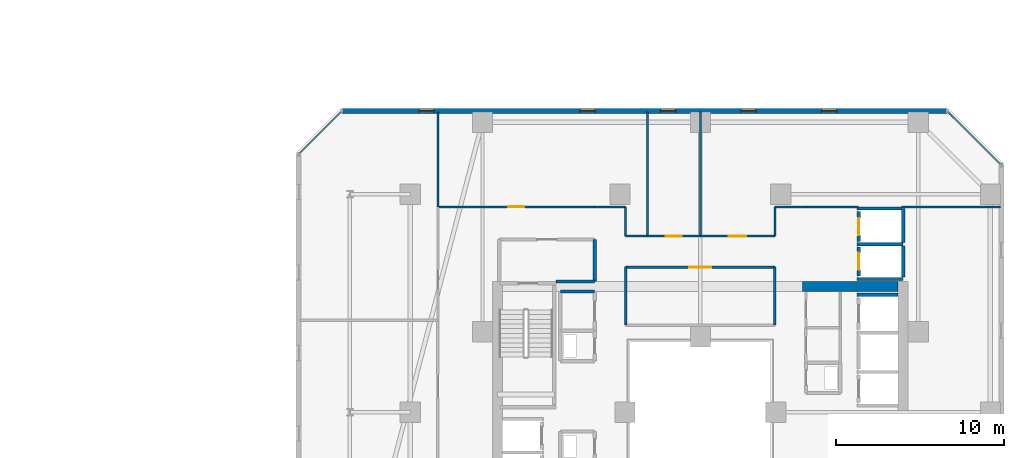
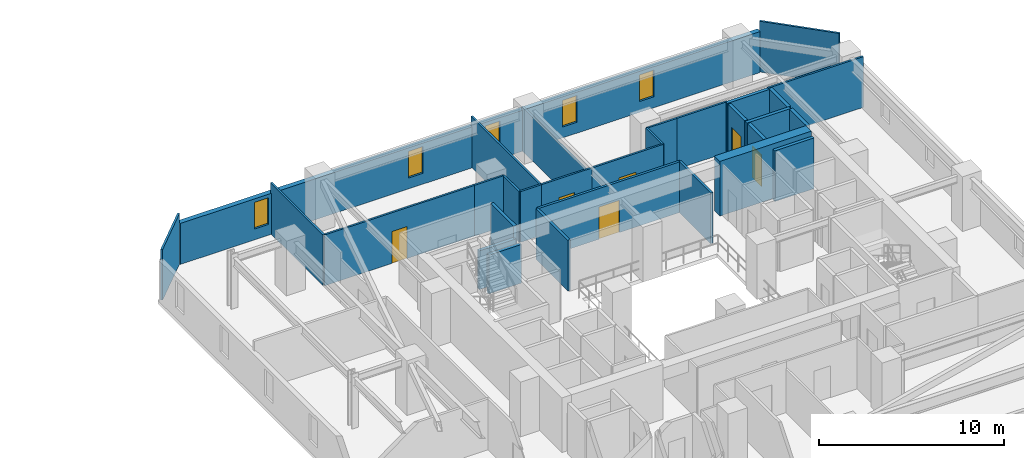
# One storey, part 26 of 33: 31 walls, 6 doors, 5 windows, 11 openings.
"""IFC4 building model written with IfcOpenShell, lengths in metres."""

from ifc_helpers import new_model, si_unit, direction, frame, frame_2d, origin, place, context, subcontext, project, spatial, rectangle, extrude, material, layer, layer_set, type_object, element, fill, save


model = new_model("IFC4")

# Units and contexts
model_context = context("Model", 3, precision=1e-05, world=origin(), true_north=direction((0.0, 1.0)))
body_context = subcontext(model_context, "Body", "Model", "MODEL_VIEW")
ifc_project = project(units=[si_unit("LENGTHUNIT", "METRE"), si_unit("AREAUNIT", "SQUARE_METRE"), si_unit("VOLUMEUNIT", "CUBIC_METRE"), si_unit("PLANEANGLEUNIT", "RADIAN"), si_unit("MASSUNIT", "GRAM", prefix="KILO")], contexts=[model_context])

# Site, building, storey
site_placement = place(None, origin())
site = spatial("IfcSite", under=ifc_project, at=site_placement, CompositionType="ELEMENT")
building_placement = place(site_placement, origin())
building = spatial("IfcBuilding", under=site, at=building_placement, Name="Thornwick Lancets Civic Towers", CompositionType="ELEMENT")
storey_placement = place(building_placement, frame((0.0, 0.0, 108.89990234375)))
storey = spatial("IfcBuildingStorey", under=building, at=storey_placement, Name="L28", CompositionType="ELEMENT", Elevation=108.89990234375)

# Wall, opening, door
ifc_material_1 = material(Name="Concrete blockwork C40/50", Category="masonry")
ifc_layer_1 = layer(ifc_material_1, 0.199951171875, Name="Concrete blockwork C40/50")
ifc_layer_set_1 = layer_set([ifc_layer_1], Name="Concrete blockwork C40/50")
wall_type_1 = type_object("IfcWallType", Name="WALL_COMP_200", PredefinedType="STANDARD", material=ifc_layer_set_1)
wall_1_placement = place(storey_placement, frame((97.949951171875, 36.8701171875, 0.0), z_axis=(0.0, 0.0, 1.0), x_axis=(0.0, -1.0, 0.0)))
wall_1 = element("IfcWall", 1, at=wall_1_placement, inside=storey, type_object=wall_type_1, Name="L28 Hoistway Front Wall PL-BL2", PredefinedType="STANDARD", context=body_context, shape_type="SweptSolid", body=[
    extrude(rectangle(XDim=1.740234375, YDim=0.199951171875, at=frame_2d((0.8701171875, 0.0))), origin(), (0.0, 0.0, 1.0), 3.340087890625),
])
opening_1_placement = place(wall_1_placement, frame((0.360107421875, 0.0, 0.0)))
opening_1 = element("IfcOpeningElement", 2, at=opening_1_placement, cuts=wall_1, Name="Opening LD-PL-BL2", PredefinedType="OPENING", context=body_context, shape_type="SweptSolid", body=[
    extrude(rectangle(XDim=1.02001953125, YDim=2.06005859375, at=frame_2d((0.510009765625, 1.030029296875))), frame((0.0, 0.10986328125, 0.0), z_axis=(0.0, -1.0, 0.0), x_axis=(1.0, 0.0, 0.0)), (0.0, 0.0, 1.0), 0.219970703125),
])
ifc_material_2 = material(Name="Brushed bronze stainless steel", Category="steel")
door_type_1 = type_object("IfcDoorType", Name="DOOR_LIFT_SLIDE", OperationType="SLIDING_TO_LEFT", PredefinedType="DOOR", material=ifc_material_2)
door_1_placement = place(opening_1_placement, origin())
door_1 = element("IfcDoor", 3, at=door_1_placement, inside=storey, type_object=door_type_1, Name="L28 Sliding Lift Landing Door LD-PL-BL2", OperationType="SLIDING_TO_LEFT", OverallHeight=2.06005859375, OverallWidth=1.02001953125, PredefinedType="DOOR", context=body_context, shape_type="SweptSolid", body=[
    extrude(rectangle(XDim=1.02001953125, YDim=2.06005859375, at=frame_2d((0.510009765625, 1.030029296875))), frame((0.0, 0.02490234375, 0.0), z_axis=(0.0, -1.0, 0.0), x_axis=(1.0, 0.0, 0.0)), (0.0, 0.0, 1.0), 0.050048828125),
])
fill(opening_1, door_1)

wall_2_placement = place(storey_placement, frame((97.949951171875, 38.969970703125, 0.0), z_axis=(0.0, 0.0, 1.0), x_axis=(0.0, -1.0, 0.0)))
wall_2 = element("IfcWall", 4, at=wall_2_placement, inside=storey, type_object=wall_type_1, Name="L28 Hoistway Front Wall PL-BL3", PredefinedType="STANDARD", context=body_context, shape_type="SweptSolid", body=[
    extrude(rectangle(XDim=1.7900390625, YDim=0.199951171875, at=frame_2d((0.89501953125, 0.0))), origin(), (0.0, 0.0, 1.0), 3.340087890625),
])
opening_2_placement = place(wall_2_placement, frame((0.385009765625, 0.0, 0.0)))
opening_2 = element("IfcOpeningElement", 5, at=opening_2_placement, cuts=wall_2, Name="Opening LD-PL-BL3", PredefinedType="OPENING", context=body_context, shape_type="SweptSolid", body=[
    extrude(rectangle(XDim=1.02001953125, YDim=2.06005859375, at=frame_2d((0.510009765625, 1.030029296875))), frame((0.0, 0.10986328125, 0.0), z_axis=(0.0, -1.0, 0.0), x_axis=(1.0, 0.0, 0.0)), (0.0, 0.0, 1.0), 0.219970703125),
])
door_2_placement = place(opening_2_placement, origin())
door_2 = element("IfcDoor", 6, at=door_2_placement, inside=storey, type_object=door_type_1, Name="L28 Sliding Lift Landing Door LD-PL-BL3", OperationType="SLIDING_TO_LEFT", OverallHeight=2.06005859375, OverallWidth=1.02001953125, PredefinedType="DOOR", context=body_context, shape_type="SweptSolid", body=[
    extrude(rectangle(XDim=1.02001953125, YDim=2.06005859375, at=frame_2d((0.510009765625, 1.030029296875))), frame((0.0, 0.02490234375, 0.0), z_axis=(0.0, -1.0, 0.0), x_axis=(1.0, 0.0, 0.0)), (0.0, 0.0, 1.0), 0.050048828125),
])
fill(opening_2, door_2)

# Walls
wall_3_placement = place(storey_placement, frame((97.85205078125, 34.0, 0.0), z_axis=(0.0, 0.0, 1.0), x_axis=(1.0, 0.0, 0.0)))
element("IfcWall", 7, at=wall_3_placement, inside=storey, type_object=wall_type_1, Name="L28 Hoistway Shaft Wall PL-BL1 N", PredefinedType="STANDARD", context=body_context, shape_type="SweptSolid", body=[
    extrude(rectangle(XDim=2.43603515625, YDim=0.199951171875, at=frame_2d((1.218017578125, 0.0))), origin(), (0.0, 0.0, 1.0), 3.340087890625),
])
for number, where, z_axis, x_axis, name in (
    (8, (97.85205078125, 37.02490234375, 0.0), (0.0, 0.0, 1.0), (1.0, 0.0, 0.0), "L28 Hoistway Shaft Wall PL-BL2 N"),
    (9, (97.85205078125, 34.949951171875, 0.0), (0.0, 0.0, 1.0), (1.0, 0.0, 0.0), "L28 Hoistway Shaft Wall PL-BL2 S"),
):
    element("IfcWall", number, at=place(storey_placement, frame(where, z_axis=z_axis, x_axis=x_axis)), inside=storey, type_object=wall_type_1, Name=name, PredefinedType="STANDARD", context=body_context, shape_type="SweptSolid", body=[
        extrude(rectangle(XDim=2.745849609375, YDim=0.199951171875, at=frame_2d((1.373046875, 0.0))), origin(), (0.0, 0.0, 1.0), 3.340087890625),
    ])
wall_4_placement = place(storey_placement, frame((100.60009765625, 35.06201171875, 0.0), z_axis=(0.0, 0.0, 1.0), x_axis=(0.0, 1.0, 0.0)))
element("IfcWall", 10, at=wall_4_placement, inside=storey, type_object=wall_type_1, Name="L28 Hoistway Shaft Wall PL-BL2 E", PredefinedType="STANDARD", context=body_context, shape_type="SweptSolid", body=[
    extrude(rectangle(XDim=1.85595703125, YDim=0.199951171875, at=frame_2d((0.927978515625, 0.0))), origin(), (0.0, 0.0, 1.0), 3.340087890625),
])
wall_5_placement = place(storey_placement, frame((100.60009765625, 37.132080078125, 0.0), z_axis=(0.0, 0.0, 1.0), x_axis=(0.0, 1.0, 0.0)))
element("IfcWall", 11, at=wall_5_placement, inside=storey, type_object=wall_type_1, Name="L28 Hoistway Shaft Wall PL-BL2 E", PredefinedType="STANDARD", context=body_context, shape_type="SweptSolid", body=[
    extrude(rectangle(XDim=2.015869140625, YDim=0.199951171875, at=frame_2d((1.0078125, 0.0))), origin(), (0.0, 0.0, 1.0), 3.340087890625),
])
wall_6_placement = place(storey_placement, frame((97.85205078125, 39.14990234375, 0.0), z_axis=(0.0, 0.0, 1.0), x_axis=(1.0, 0.0, 0.0)))
element("IfcWall", 12, at=wall_6_placement, inside=storey, type_object=wall_type_1, Name="L28 Hoistway Shaft Wall PL-BL3 N", PredefinedType="STANDARD", context=body_context, shape_type="SweptSolid", body=[
    extrude(rectangle(XDim=2.635986328125, YDim=0.199951171875, at=frame_2d((1.31787109375, 0.0))), origin(), (0.0, 0.0, 1.0), 3.340087890625),
])
wall_7_placement = place(storey_placement, frame((79.89990234375, 34.800048828125, 0.0), z_axis=(0.0, 0.0, 1.0), x_axis=(1.0, 0.0, 0.0)))
element("IfcWall", 13, at=wall_7_placement, inside=storey, type_object=wall_type_1, Name="L28 Partition L28-B-FFLOB2 E1", PredefinedType="STANDARD", context=body_context, shape_type="SweptSolid", body=[
    extrude(rectangle(XDim=2.300048828125, YDim=0.199951171875, at=frame_2d((1.14990234375, 0.0))), origin(), (0.0, 0.0, 1.0), 2.545166015625),
])
wall_8_placement = place(storey_placement, frame((82.199951171875, 34.800048828125, 0.0), z_axis=(0.0, 0.0, 1.0), x_axis=(0.0, 1.0, 0.0)))
element("IfcWall", 14, at=wall_8_placement, inside=storey, type_object=wall_type_1, Name="L28 Partition L28-B-FFLOB2 E2", PredefinedType="STANDARD", context=body_context, shape_type="SweptSolid", body=[
    extrude(rectangle(XDim=2.5, YDim=0.199951171875, at=frame_2d((1.25, 0.0))), origin(), (0.0, 0.0, 1.0), 3.340087890625),
])
wall_9_placement = place(storey_placement, frame((80.14990234375, 34.199951171875, 0.0), z_axis=(0.0, 0.0, 1.0), x_axis=(1.0, 0.0, 0.0)))
element("IfcWall", 15, at=wall_9_placement, inside=storey, type_object=wall_type_1, Name="L28 Partition L28-B-STR E2", PredefinedType="STANDARD", context=body_context, shape_type="SweptSolid", body=[
    extrude(rectangle(XDim=2.050048828125, YDim=0.199951171875, at=frame_2d((1.02490234375, 0.0))), origin(), (0.0, 0.0, 1.0), 2.545166015625),
])
ifc_material_3 = material(Name="Concrete C60/75", Category="concrete")
ifc_layer_2 = layer(ifc_material_3, 0.60009765625, Name="Concrete C60/75")
ifc_layer_set_2 = layer_set([ifc_layer_2], Name="Concrete C60/75")
wall_type_2 = type_object("IfcWallType", Name="WALL_CORE_600", PredefinedType="SHEAR", material=ifc_layer_set_2)
wall_10_placement = place(storey_placement, frame((94.60009765625, 34.5, 0.0), z_axis=(0.0, 0.0, 1.0), x_axis=(1.0, 0.0, 0.0)))
element("IfcWall", 16, at=wall_10_placement, inside=storey, type_object=wall_type_2, Name="L28 Split Core B1 Shear Wall N", PredefinedType="SHEAR", context=body_context, shape_type="SweptSolid", body=[
    extrude(rectangle(XDim=5.699951171875, YDim=0.60009765625, at=frame_2d((2.85009765625, 0.0))), origin(), (0.0, 0.0, 1.0), 3.60009765625),
])

# Wall, openings, windows
ifc_material_4 = material(Name="Insulated russet terracotta rainscreen on concrete C40/50", Category="masonry")
ifc_layer_3 = layer(ifc_material_4, 0.300048828125, Name="Insulated russet terracotta rainscreen on concrete C40/50")
ifc_layer_set_3 = layer_set([ifc_layer_3], Name="Insulated russet terracotta rainscreen on concrete C40/50")
wall_type_3 = type_object("IfcWallType", Name="WALL_EXT_RUSSET_300", PredefinedType="STANDARD", material=ifc_layer_set_3)
wall_11_placement = place(storey_placement, frame((103.228759765625, 44.962646484375, 0.0), z_axis=(0.0, 0.0, 1.0), x_axis=(-0.999999998537, 5.4088042e-05, 0.0)))
wall_11 = element("IfcWall", 17, at=wall_11_placement, inside=storey, type_object=wall_type_3, Name="L28 Tower B Terracotta Facade Wall E4", PredefinedType="STANDARD", context=body_context, shape_type="SweptSolid", body=[
    extrude(rectangle(XDim=36.110107421875, YDim=0.300048828125, at=frame_2d((18.05517578125, 0.0))), origin(), (0.0, 0.0, 1.0), 2.7001953125),
])
opening_3_placement = place(wall_11_placement, frame((6.60009765625, 0.0, 0.719970703125)))
opening_3 = element("IfcOpeningElement", 18, at=opening_3_placement, cuts=wall_11, Name="Opening WL-01", PredefinedType="OPENING", context=body_context, shape_type="SweptSolid", body=[
    extrude(rectangle(XDim=0.89990234375, YDim=1.75, at=frame_2d((0.449951171875, 0.875))), frame((0.0, 0.16015625, 0.0), z_axis=(0.0, -1.0, 0.0), x_axis=(1.0, 0.0, 0.0)), (0.0, 0.0, 1.0), 0.320068359375),
])
opening_4_placement = place(wall_11_placement, frame((11.39990234375, 0.0, 0.719970703125)))
opening_4 = element("IfcOpeningElement", 19, at=opening_4_placement, cuts=wall_11, Name="Opening WL-01", PredefinedType="OPENING", context=body_context, shape_type="SweptSolid", body=[
    extrude(rectangle(XDim=0.89990234375, YDim=1.75, at=frame_2d((0.449951171875, 0.875))), frame((0.0, 0.16015625, 0.0), z_axis=(0.0, -1.0, 0.0), x_axis=(1.0, 0.0, 0.0)), (0.0, 0.0, 1.0), 0.320068359375),
])
opening_5_placement = place(wall_11_placement, frame((16.199951171875, 0.0, 0.719970703125)))
opening_5 = element("IfcOpeningElement", 20, at=opening_5_placement, cuts=wall_11, Name="Opening WL-01", PredefinedType="OPENING", context=body_context, shape_type="SweptSolid", body=[
    extrude(rectangle(XDim=0.89990234375, YDim=1.75, at=frame_2d((0.449951171875, 0.875))), frame((0.0, 0.16015625, 0.0), z_axis=(0.0, -1.0, 0.0), x_axis=(1.0, 0.0, 0.0)), (0.0, 0.0, 1.0), 0.320068359375),
])
opening_6_placement = place(wall_11_placement, frame((21.0, 0.0, 0.719970703125)))
opening_6 = element("IfcOpeningElement", 21, at=opening_6_placement, cuts=wall_11, Name="Opening WL-01", PredefinedType="OPENING", context=body_context, shape_type="SweptSolid", body=[
    extrude(rectangle(XDim=0.89990234375, YDim=1.75, at=frame_2d((0.449951171875, 0.875))), frame((0.0, 0.16015625, 0.0), z_axis=(0.0, -1.0, 0.0), x_axis=(1.0, 0.0, 0.0)), (0.0, 0.0, 1.0), 0.320068359375),
])
opening_7_placement = place(wall_11_placement, frame((30.60009765625, 0.0, 0.719970703125)))
opening_7 = element("IfcOpeningElement", 22, at=opening_7_placement, cuts=wall_11, Name="Opening WL-01", PredefinedType="OPENING", context=body_context, shape_type="SweptSolid", body=[
    extrude(rectangle(XDim=0.89990234375, YDim=1.75, at=frame_2d((0.449951171875, 0.875))), frame((0.0, 0.16015625, 0.0), z_axis=(0.0, -1.0, 0.0), x_axis=(1.0, 0.0, 0.0)), (0.0, 0.0, 1.0), 0.320068359375),
])
ifc_material_5 = material(Name="Clear low-e double glazing in bronze frame", Category="glass")
window_type = type_object("IfcWindowType", Name="WIN_LANCET_900", PartitioningType="SINGLE_PANEL", PredefinedType="WINDOW", material=ifc_material_5)
window_1_placement = place(opening_3_placement, origin())
window_1 = element("IfcWindow", 23, at=window_1_placement, inside=storey, type_object=window_type, Name="L28 Tower B Staggered Lancet Window E4-1", OverallHeight=1.75, OverallWidth=0.89990234375, PartitioningType="SINGLE_PANEL", PredefinedType="WINDOW", context=body_context, shape_type="SweptSolid", body=[
    extrude(rectangle(XDim=0.89990234375, YDim=1.75, at=frame_2d((0.449951171875, 0.875))), frame((0.0, 0.030029296875, 0.0), z_axis=(0.0, -1.0, 0.0), x_axis=(1.0, 0.0, 0.0)), (0.0, 0.0, 1.0), 0.06005859375),
])
fill(opening_3, window_1)
window_2_placement = place(opening_4_placement, origin())
window_2 = element("IfcWindow", 24, at=window_2_placement, inside=storey, type_object=window_type, Name="L28 Tower B Staggered Lancet Window E4-2", OverallHeight=1.75, OverallWidth=0.89990234375, PartitioningType="SINGLE_PANEL", PredefinedType="WINDOW", context=body_context, shape_type="SweptSolid", body=[
    extrude(rectangle(XDim=0.89990234375, YDim=1.75, at=frame_2d((0.449951171875, 0.875))), frame((0.0, 0.030029296875, 0.0), z_axis=(0.0, -1.0, 0.0), x_axis=(1.0, 0.0, 0.0)), (0.0, 0.0, 1.0), 0.06005859375),
])
fill(opening_4, window_2)
window_3_placement = place(opening_5_placement, origin())
window_3 = element("IfcWindow", 25, at=window_3_placement, inside=storey, type_object=window_type, Name="L28 Tower B Staggered Lancet Window E4-3", OverallHeight=1.75, OverallWidth=0.89990234375, PartitioningType="SINGLE_PANEL", PredefinedType="WINDOW", context=body_context, shape_type="SweptSolid", body=[
    extrude(rectangle(XDim=0.89990234375, YDim=1.75, at=frame_2d((0.449951171875, 0.875))), frame((0.0, 0.030029296875, 0.0), z_axis=(0.0, -1.0, 0.0), x_axis=(1.0, 0.0, 0.0)), (0.0, 0.0, 1.0), 0.06005859375),
])
fill(opening_5, window_3)
window_4_placement = place(opening_6_placement, origin())
window_4 = element("IfcWindow", 26, at=window_4_placement, inside=storey, type_object=window_type, Name="L28 Tower B Staggered Lancet Window E4-4", OverallHeight=1.75, OverallWidth=0.89990234375, PartitioningType="SINGLE_PANEL", PredefinedType="WINDOW", context=body_context, shape_type="SweptSolid", body=[
    extrude(rectangle(XDim=0.89990234375, YDim=1.75, at=frame_2d((0.449951171875, 0.875))), frame((0.0, 0.030029296875, 0.0), z_axis=(0.0, -1.0, 0.0), x_axis=(1.0, 0.0, 0.0)), (0.0, 0.0, 1.0), 0.06005859375),
])
fill(opening_6, window_4)
window_5_placement = place(opening_7_placement, origin())
window_5 = element("IfcWindow", 27, at=window_5_placement, inside=storey, type_object=window_type, Name="L28 Tower B Staggered Lancet Window E4-5", OverallHeight=1.75, OverallWidth=0.89990234375, PartitioningType="SINGLE_PANEL", PredefinedType="WINDOW", context=body_context, shape_type="SweptSolid", body=[
    extrude(rectangle(XDim=0.89990234375, YDim=1.75, at=frame_2d((0.449951171875, 0.875))), frame((0.0, 0.030029296875, 0.0), z_axis=(0.0, -1.0, 0.0), x_axis=(1.0, 0.0, 0.0)), (0.0, 0.0, 1.0), 0.06005859375),
])
fill(opening_7, window_5)

# Walls
ifc_material_6 = material(Name="Acoustic gypsum board partition")
ifc_layer_4 = layer(ifc_material_6, 0.1201171875, Name="Acoustic gypsum board partition")
ifc_layer_set_4 = layer_set([ifc_layer_4], Name="Acoustic gypsum board partition")
wall_type_4 = type_object("IfcWallType", Name="WALL_PART_120", PredefinedType="PARTITIONING", material=ifc_layer_set_4)
wall_12_placement = place(storey_placement, frame((106.419921875, 39.25, 0.0), z_axis=(0.0, 0.0, 1.0), x_axis=(-1.0, 0.0, 0.0)))
element("IfcWall", 28, at=wall_12_placement, inside=storey, type_object=wall_type_4, Name="L28 Partition L28-B-E1 E2", PredefinedType="PARTITIONING", context=body_context, shape_type="SweptSolid", body=[
    extrude(rectangle(XDim=5.931884765625, YDim=0.1201171875, at=frame_2d((2.9658203125, 0.0))), origin(), (0.0, 0.0, 1.0), 3.340087890625),
])
wall_13_placement = place(storey_placement, frame((97.949951171875, 39.25, 0.0), z_axis=(0.0, 0.0, 1.0), x_axis=(-1.0, 0.0, 0.0)))
element("IfcWall", 29, at=wall_13_placement, inside=storey, type_object=wall_type_4, Name="L28 Partition L28-B-E1 E3", PredefinedType="PARTITIONING", context=body_context, shape_type="SweptSolid", body=[
    extrude(rectangle(XDim=3.14990234375, YDim=0.1201171875, at=frame_2d((1.574951171875, 0.0))), origin(), (0.0, 0.0, 1.0), 3.340087890625),
])
wall_14_placement = place(storey_placement, frame((94.800048828125, 39.25, 0.0), z_axis=(0.0, 0.0, 1.0), x_axis=(-1.0, 0.0, 0.0)))
element("IfcWall", 30, at=wall_14_placement, inside=storey, type_object=wall_type_4, Name="L28 Partition L28-B-E1 E4", PredefinedType="PARTITIONING", context=body_context, shape_type="SweptSolid", body=[
    extrude(rectangle(XDim=1.85009765625, YDim=0.1201171875, at=frame_2d((0.925048828125, 0.0))), origin(), (0.0, 0.0, 1.0), 3.340087890625),
])
wall_15_placement = place(storey_placement, frame((92.949951171875, 39.25, 0.0), z_axis=(0.0, 0.0, 1.0), x_axis=(0.0, -1.0, 0.0)))
element("IfcWall", 31, at=wall_15_placement, inside=storey, type_object=wall_type_4, Name="L28 Partition L28-B-E1 E5", PredefinedType="PARTITIONING", context=body_context, shape_type="SweptSolid", body=[
    extrude(rectangle(XDim=1.75, YDim=0.1201171875, at=frame_2d((0.875, 0.0))), origin(), (0.0, 0.0, 1.0), 3.340087890625),
])

# Wall, opening, door
wall_16_placement = place(storey_placement, frame((92.949951171875, 37.5, 0.0), z_axis=(0.0, 0.0, 1.0), x_axis=(-1.0, 0.0, 0.0)))
wall_16 = element("IfcWall", 32, at=wall_16_placement, inside=storey, type_object=wall_type_4, Name="L28 Partition L28-B-E1 E6", PredefinedType="PARTITIONING", context=body_context, shape_type="SweptSolid", body=[
    extrude(rectangle(XDim=4.449951171875, YDim=0.1201171875, at=frame_2d((2.22509765625, 0.0))), origin(), (0.0, 0.0, 1.0), 3.340087890625),
])
opening_8_placement = place(wall_16_placement, frame((1.699951171875, 0.0, 0.0)))
opening_8 = element("IfcOpeningElement", 33, at=opening_8_placement, cuts=wall_16, Name="Opening D-L28-1309", PredefinedType="OPENING", context=body_context, shape_type="SweptSolid", body=[
    extrude(rectangle(XDim=1.050048828125, YDim=2.10009765625, at=frame_2d((0.52490234375, 1.050048828125))), frame((0.0, 0.070068359375, 0.0), z_axis=(0.0, -1.0, 0.0), x_axis=(1.0, 0.0, 0.0)), (0.0, 0.0, 1.0), 0.14013671875),
])
ifc_material_7 = material(Name="Glazed European oak executive doorset")
door_type_2 = type_object("IfcDoorType", Name="DOOR_OFFICE_1050", OperationType="NOTDEFINED", PredefinedType="DOOR", material=ifc_material_7)
door_3_placement = place(opening_8_placement, origin())
door_3 = element("IfcDoor", 34, at=door_3_placement, inside=storey, type_object=door_type_2, Name="L28 Tower B Secretariat Open Office E1 Door", OperationType="SINGLE_SWING_RIGHT", OverallHeight=2.10009765625, OverallWidth=1.050048828125, PredefinedType="DOOR", context=body_context, shape_type="SweptSolid", body=[
    extrude(rectangle(XDim=1.050048828125, YDim=2.10009765625, at=frame_2d((0.52490234375, 1.050048828125))), frame((0.0, 0.02490234375, 0.0), z_axis=(0.0, -1.0, 0.0), x_axis=(1.0, 0.0, 0.0)), (0.0, 0.0, 1.0), 0.050048828125),
])
fill(opening_8, door_3)

# Walls
wall_17_placement = place(storey_placement, frame((88.5, 37.5, 0.0), z_axis=(0.0, 0.0, 1.0), x_axis=(0.0, 1.0, 0.0)))
element("IfcWall", 35, at=wall_17_placement, inside=storey, type_object=wall_type_4, Name="L28 Partition L28-B-E1 E7", PredefinedType="PARTITIONING", context=body_context, shape_type="SweptSolid", body=[
    extrude(rectangle(XDim=7.419921875, YDim=0.1201171875, at=frame_2d((3.7099609375, 0.0))), origin(), (0.0, 0.0, 1.0), 2.881591796875),
])
wall_18_placement = place(storey_placement, frame((103.2705078125, 44.919921875, 0.0), z_axis=(0.0, 0.0, 1.0), x_axis=(0.707106781187, -0.707106781187, 0.0)))
element("IfcWall", 36, at=wall_18_placement, inside=storey, type_object=wall_type_4, Name="L28 Partition L28-B-E1 E9", PredefinedType="PARTITIONING", context=body_context, shape_type="SweptSolid", body=[
    extrude(rectangle(XDim=4.453857421875, YDim=0.1201171875, at=frame_2d((2.22705078125, 0.0))), origin(), (0.0, 0.0, 1.0), 3.340087890625),
])
wall_19_placement = place(storey_placement, frame((85.35009765625, 37.5, 0.0), z_axis=(0.0, 0.0, 1.0), x_axis=(0.0, 1.0, 0.0)))
element("IfcWall", 37, at=wall_19_placement, inside=storey, type_object=wall_type_4, Name="L28 Partition L28-B-E2 E1", PredefinedType="PARTITIONING", context=body_context, shape_type="SweptSolid", body=[
    extrude(rectangle(XDim=7.419921875, YDim=0.1201171875, at=frame_2d((3.7099609375, 0.0))), origin(), (0.0, 0.0, 1.0), 3.340087890625),
])

# Wall, opening, door
wall_20_placement = place(storey_placement, frame((88.5, 37.5, 0.0), z_axis=(0.0, 0.0, 1.0), x_axis=(-1.0, 0.0, 0.0)))
wall_20 = element("IfcWall", 38, at=wall_20_placement, inside=storey, type_object=wall_type_4, Name="L28 Partition L28-B-E2 E4", PredefinedType="PARTITIONING", context=body_context, shape_type="SweptSolid", body=[
    extrude(rectangle(XDim=3.14990234375, YDim=0.1201171875, at=frame_2d((1.574951171875, 0.0))), origin(), (0.0, 0.0, 1.0), 3.340087890625),
])
opening_9_placement = place(wall_20_placement, frame((1.10009765625, 0.0, 0.0)))
opening_9 = element("IfcOpeningElement", 39, at=opening_9_placement, cuts=wall_20, Name="Opening D-L28-1310", PredefinedType="OPENING", context=body_context, shape_type="SweptSolid", body=[
    extrude(rectangle(XDim=0.949951171875, YDim=2.10009765625, at=frame_2d((0.47509765625, 1.050048828125))), frame((0.0, 0.070068359375, 0.0), z_axis=(0.0, -1.0, 0.0), x_axis=(1.0, 0.0, 0.0)), (0.0, 0.0, 1.0), 0.14013671875),
])
ifc_material_8 = material(Name="European oak acoustic doorset")
door_type_3 = type_object("IfcDoorType", Name="DOOR_OFFICE_950", OperationType="NOTDEFINED", PredefinedType="DOOR", material=ifc_material_8)
door_4_placement = place(opening_9_placement, origin())
door_4 = element("IfcDoor", 40, at=door_4_placement, inside=storey, type_object=door_type_3, Name="L28 Tower B Visitors Reception and Waiting Door", OperationType="SINGLE_SWING_LEFT", OverallHeight=2.10009765625, OverallWidth=0.949951171875, PredefinedType="DOOR", context=body_context, shape_type="SweptSolid", body=[
    extrude(rectangle(XDim=0.949951171875, YDim=2.10009765625, at=frame_2d((0.47509765625, 1.050048828125))), frame((0.0, 0.02490234375, 0.0), z_axis=(0.0, -1.0, 0.0), x_axis=(1.0, 0.0, 0.0)), (0.0, 0.0, 1.0), 0.050048828125),
])
fill(opening_9, door_4)

# Walls
wall_21_placement = place(storey_placement, frame((84.050048828125, 37.5, 0.0), z_axis=(0.0, 0.0, 1.0), x_axis=(0.0, 1.0, 0.0)))
element("IfcWall", 41, at=wall_21_placement, inside=storey, type_object=wall_type_4, Name="L28 Partition L28-B-E3 E1", PredefinedType="PARTITIONING", context=body_context, shape_type="SweptSolid", body=[
    extrude(rectangle(XDim=1.75, YDim=0.1201171875, at=frame_2d((0.875, 0.0))), origin(), (0.0, 0.0, 1.0), 3.340087890625),
])
wall_22_placement = place(storey_placement, frame((84.050048828125, 39.25, 0.0), z_axis=(0.0, 0.0, 1.0), x_axis=(-1.0, 0.0, 0.0)))
element("IfcWall", 42, at=wall_22_placement, inside=storey, type_object=wall_type_4, Name="L28 Partition L28-B-E3 E2", PredefinedType="PARTITIONING", context=body_context, shape_type="SweptSolid", body=[
    extrude(rectangle(XDim=1.85009765625, YDim=0.1201171875, at=frame_2d((0.925048828125, 0.0))), origin(), (0.0, 0.0, 1.0), 3.340087890625),
])

# Wall, opening, door
wall_23_placement = place(storey_placement, frame((82.199951171875, 39.25, 0.0), z_axis=(0.0, 0.0, 1.0), x_axis=(-1.0, 0.0, 0.0)))
wall_23 = element("IfcWall", 43, at=wall_23_placement, inside=storey, type_object=wall_type_4, Name="L28 Partition L28-B-E3 E3", PredefinedType="PARTITIONING", context=body_context, shape_type="SweptSolid", body=[
    extrude(rectangle(XDim=9.349853515625, YDim=0.1201171875, at=frame_2d((4.6748046875, 0.0))), origin(), (0.0, 0.0, 1.0), 3.340087890625),
])
opening_10_placement = place(wall_23_placement, frame((4.199951171875, 0.0, 0.0)))
opening_10 = element("IfcOpeningElement", 44, at=opening_10_placement, cuts=wall_23, Name="Opening D-L28-1311", PredefinedType="OPENING", context=body_context, shape_type="SweptSolid", body=[
    extrude(rectangle(XDim=0.949951171875, YDim=2.10009765625, at=frame_2d((0.47509765625, 1.050048828125))), frame((0.0, 0.070068359375, 0.0), z_axis=(0.0, -1.0, 0.0), x_axis=(1.0, 0.0, 0.0)), (0.0, 0.0, 1.0), 0.14013671875),
])
door_5_placement = place(opening_10_placement, origin())
door_5 = element("IfcDoor", 45, at=door_5_placement, inside=storey, type_object=door_type_3, Name="L28 Tower B Civic Seminar Room Door", OperationType="SINGLE_SWING_RIGHT", OverallHeight=2.10009765625, OverallWidth=0.949951171875, PredefinedType="DOOR", context=body_context, shape_type="SweptSolid", body=[
    extrude(rectangle(XDim=0.949951171875, YDim=2.10009765625, at=frame_2d((0.47509765625, 1.050048828125))), frame((0.0, 0.02490234375, 0.0), z_axis=(0.0, -1.0, 0.0), x_axis=(1.0, 0.0, 0.0)), (0.0, 0.0, 1.0), 0.050048828125),
])
fill(opening_10, door_5)

# Walls
wall_24_placement = place(storey_placement, frame((72.85009765625, 39.25, 0.0), z_axis=(0.0, 0.0, 1.0), x_axis=(0.0, 1.0, 0.0)))
element("IfcWall", 46, at=wall_24_placement, inside=storey, type_object=wall_type_4, Name="L28 Partition L28-B-E3 E4", PredefinedType="PARTITIONING", context=body_context, shape_type="SweptSolid", body=[
    extrude(rectangle(XDim=5.669921875, YDim=0.1201171875, at=frame_2d((2.8349609375, 0.0))), origin(), (0.0, 0.0, 1.0), 3.340087890625),
])
wall_25_placement = place(storey_placement, frame((85.35009765625, 37.5, 0.0), z_axis=(0.0, 0.0, 1.0), x_axis=(-1.0, 0.0, 0.0)))
element("IfcWall", 47, at=wall_25_placement, inside=storey, type_object=wall_type_4, Name="L28 Partition L28-B-E3 E7", PredefinedType="PARTITIONING", context=body_context, shape_type="SweptSolid", body=[
    extrude(rectangle(XDim=1.300048828125, YDim=0.1201171875, at=frame_2d((0.64990234375, 0.0))), origin(), (0.0, 0.0, 1.0), 3.340087890625),
])
wall_26_placement = place(storey_placement, frame((64.580078125, 42.42529296875, 0.0), z_axis=(0.0, 0.0, 1.0), x_axis=(0.707106781187, 0.707106781187, 0.0)))
element("IfcWall", 48, at=wall_26_placement, inside=storey, type_object=wall_type_4, Name="L28 Partition L28-B-N-OFF E2", PredefinedType="PARTITIONING", context=body_context, shape_type="SweptSolid", body=[
    extrude(rectangle(XDim=3.52783203125, YDim=0.1201171875, at=frame_2d((1.763916015625, 0.0))), origin(), (0.0, 0.0, 1.0), 3.340087890625),
])
ifc_material_9 = material(Name="Twin-stud acoustic gypsum board")
ifc_layer_5 = layer(ifc_material_9, 0.14990234375, Name="Twin-stud acoustic gypsum board")
ifc_layer_set_5 = layer_set([ifc_layer_5], Name="Twin-stud acoustic gypsum board")
wall_type_5 = type_object("IfcWallType", Name="WALL_PART_150", PredefinedType="PARTITIONING", material=ifc_layer_set_5)
wall_27_placement = place(storey_placement, frame((84.050048828125, 32.199951171875, 0.0), z_axis=(0.0, 0.0, 1.0), x_axis=(0.0, 1.0, 0.0)))
element("IfcWall", 49, at=wall_27_placement, inside=storey, type_object=wall_type_5, Name="L28 Partition L28-B-ATR-E E1", PredefinedType="PARTITIONING", context=body_context, shape_type="SweptSolid", body=[
    extrude(rectangle(XDim=3.449951171875, YDim=0.14990234375, at=frame_2d((1.72509765625, 0.0))), origin(), (0.0, 0.0, 1.0), 3.340087890625),
])

# Wall, opening, door
wall_28_placement = place(storey_placement, frame((84.050048828125, 35.64990234375, 0.0), z_axis=(0.0, 0.0, 1.0), x_axis=(1.0, 0.0, 0.0)))
wall_28 = element("IfcWall", 50, at=wall_28_placement, inside=storey, type_object=wall_type_5, Name="L28 Partition L28-B-ATR-E E2", PredefinedType="PARTITIONING", context=body_context, shape_type="SweptSolid", body=[
    extrude(rectangle(XDim=8.89990234375, YDim=0.14990234375, at=frame_2d((4.449951171875, 0.0))), origin(), (0.0, 0.0, 1.0), 3.340087890625),
])
opening_11_placement = place(wall_28_placement, frame((3.800048828125, 0.0, 0.0)))
opening_11 = element("IfcOpeningElement", 51, at=opening_11_placement, cuts=wall_28, Name="Opening D-L28-1312", PredefinedType="OPENING", context=body_context, shape_type="SweptSolid", body=[
    extrude(rectangle(XDim=1.300048828125, YDim=2.1201171875, at=frame_2d((0.64990234375, 1.06005859375))), frame((0.0, 0.0849609375, 0.0), z_axis=(0.0, -1.0, 0.0), x_axis=(1.0, 0.0, 0.0)), (0.0, 0.0, 1.0), 0.169921875),
])
ifc_material_10 = material(Name="Acoustic oak leaf-and-a-half doorset")
door_type_4 = type_object("IfcDoorType", Name="DOOR_MEET_1300", OperationType="DOUBLE_DOOR_SINGLE_SWING", PredefinedType="DOOR", material=ifc_material_10)
door_6_placement = place(opening_11_placement, origin())
door_6 = element("IfcDoor", 52, at=door_6_placement, inside=storey, type_object=door_type_4, Name="L28 Tower B East Atrium Briefing Suite Door", OperationType="DOUBLE_DOOR_SINGLE_SWING", OverallHeight=2.1201171875, OverallWidth=1.300048828125, PredefinedType="DOOR", context=body_context, shape_type="SweptSolid", body=[
    extrude(rectangle(XDim=1.300048828125, YDim=2.1201171875, at=frame_2d((0.64990234375, 1.06005859375))), frame((0.0, 0.02490234375, 0.0), z_axis=(0.0, -1.0, 0.0), x_axis=(1.0, 0.0, 0.0)), (0.0, 0.0, 1.0), 0.050048828125),
])
fill(opening_11, door_6)

# Wall
wall_29_placement = place(storey_placement, frame((92.949951171875, 35.64990234375, 0.0), z_axis=(0.0, 0.0, 1.0), x_axis=(0.0, -1.0, 0.0)))
element("IfcWall", 53, at=wall_29_placement, inside=storey, type_object=wall_type_5, Name="L28 Partition L28-B-ATR-E E3", PredefinedType="PARTITIONING", context=body_context, shape_type="SweptSolid", body=[
    extrude(rectangle(XDim=3.449951171875, YDim=0.14990234375, at=frame_2d((1.72509765625, 0.0))), origin(), (0.0, 0.0, 1.0), 3.340087890625),
])

save(model, "model.ifc")
